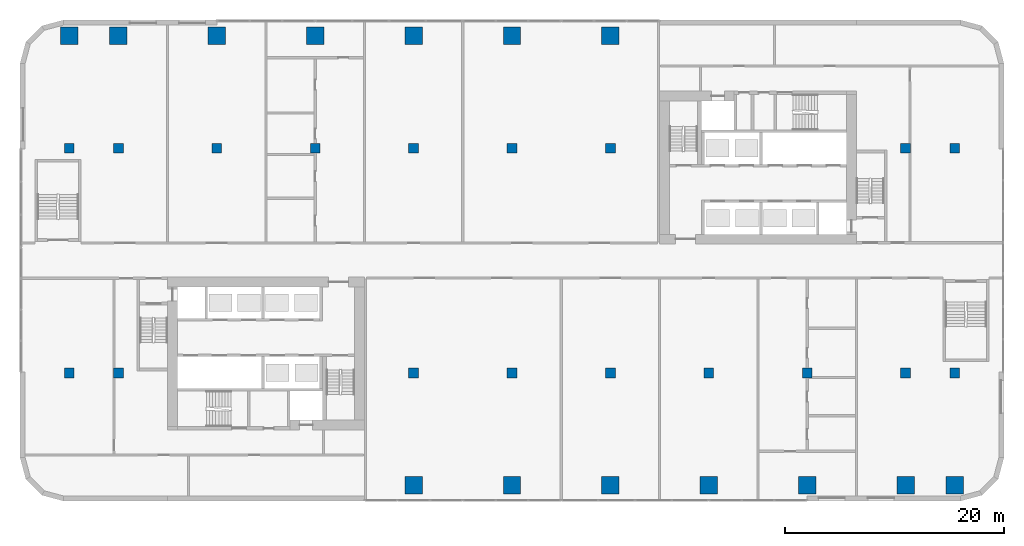
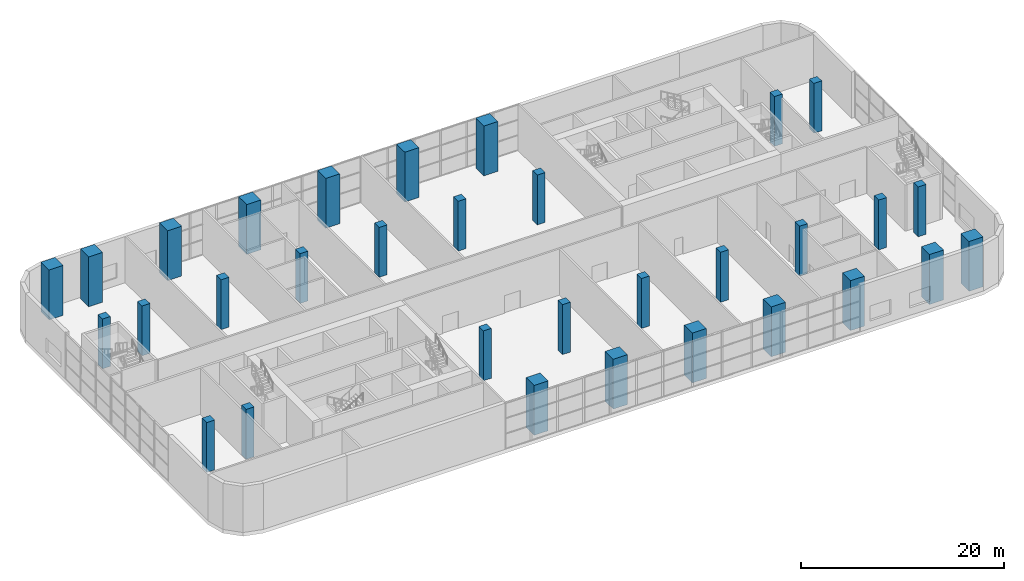
# One storey, part 1 of 27: 32 columns.
"""IFC4 building model written with IfcOpenShell, lengths in metres."""

from ifc_helpers import new_model, si_unit, direction, frame, origin, origin_2d, place, context, subcontext, project, spatial, rectangle, extrude, material, material_profile, profile_set, type_object, element, save


model = new_model("IFC4")

# Units and contexts
model_context = context("Model", 3, precision=1e-05, world=origin(), true_north=direction((0.0, 1.0)))
body_context = subcontext(model_context, "Body", "Model", "MODEL_VIEW")
ifc_project = project(units=[si_unit("LENGTHUNIT", "METRE"), si_unit("AREAUNIT", "SQUARE_METRE"), si_unit("VOLUMEUNIT", "CUBIC_METRE"), si_unit("PLANEANGLEUNIT", "RADIAN"), si_unit("MASSUNIT", "GRAM", prefix="KILO")], contexts=[model_context])

# Site, building, storey
site_placement = place(None, origin())
site = spatial("IfcSite", under=ifc_project, at=site_placement, CompositionType="ELEMENT")
building_placement = place(site_placement, origin())
building = spatial("IfcBuilding", under=site, at=building_placement, Name="Kajstack Hotel Tower", CompositionType="ELEMENT")
storey_placement = place(building_placement, frame((0.0, 0.0, 11.0)))
storey = spatial("IfcBuildingStorey", under=building, at=storey_placement, Name="L01", CompositionType="ELEMENT", Elevation=11.0)

# Columns
ifc_material_1 = material(Name="Concrete C70/85", Category="concrete")
ifc_material_profile_1 = material_profile(ifc_material_1, rectangle(XDim=1.60009765625, YDim=1.60009765625, at=origin_2d()), Name="RC 1600x1600")
ifc_profile_set_1 = profile_set([ifc_material_profile_1], Name="Concrete C70/85")
column_type_1 = type_object("IfcColumnType", Name="RC 1600x1600 C70/85", PredefinedType="COLUMN", material=ifc_profile_set_1)
for number, where, z_axis, x_axis, name in (
    (1, (-40.5, 20.550048828125, 0.0), (0.0, 0.0, 1.0), (1.0, 0.0, 0.0), "S-col-mega-L01--40p5+20p6"),
    (2, (-36.0, 20.550048828125, 0.0), (0.0, 0.0, 1.0), (1.0, 0.0, 0.0), "S-col-mega-L01--36p0+20p6"),
    (3, (-27.0, 20.550048828125, 0.0), (0.0, 0.0, 1.0), (1.0, 0.0, 0.0), "S-col-mega-L01--27p0+20p6"),
    (4, (-18.0, 20.550048828125, 0.0), (0.0, 0.0, 1.0), (1.0, 0.0, 0.0), "S-col-mega-L01--18p0+20p6"),
    (5, (-9.0, -20.550048828125, 0.0), (0.0, 0.0, 1.0), (1.0, 0.0, 0.0), "S-col-mega-L01--9p0-20p6"),
    (6, (-9.0, 20.550048828125, 0.0), (0.0, 0.0, 1.0), (1.0, 0.0, 0.0), "S-col-mega-L01--9p0+20p6"),
    (7, (0.0, -20.550048828125, 0.0), (0.0, 0.0, 1.0), (1.0, 0.0, 0.0), "S-col-mega-L01-+0p0-20p6"),
    (8, (0.0, 20.550048828125, 0.0), (0.0, 0.0, 1.0), (1.0, 0.0, 0.0), "S-col-mega-L01-+0p0+20p6"),
    (9, (9.0, -20.550048828125, 0.0), (0.0, 0.0, 1.0), (1.0, 0.0, 0.0), "S-col-mega-L01-+9p0-20p6"),
    (10, (9.0, 20.550048828125, 0.0), (0.0, 0.0, 1.0), (1.0, 0.0, 0.0), "S-col-mega-L01-+9p0+20p6"),
    (11, (18.0, -20.550048828125, 0.0), (0.0, 0.0, 1.0), (1.0, 0.0, 0.0), "S-col-mega-L01-+18p0-20p6"),
    (12, (27.0, -20.550048828125, 0.0), (0.0, 0.0, 1.0), (1.0, 0.0, 0.0), "S-col-mega-L01-+27p0-20p6"),
    (13, (36.0, -20.550048828125, 0.0), (0.0, 0.0, 1.0), (1.0, 0.0, 0.0), "S-col-mega-L01-+36p0-20p6"),
    (14, (40.5, -20.550048828125, 0.0), (0.0, 0.0, 1.0), (1.0, 0.0, 0.0), "S-col-mega-L01-+40p5-20p6"),
):
    element("IfcColumn", number, at=place(storey_placement, frame(where, z_axis=z_axis, x_axis=x_axis)), inside=storey, type_object=column_type_1, Name=name, PredefinedType="COLUMN", context=body_context, shape_type="SweptSolid", body=[
        extrude(rectangle(XDim=1.60009765625, YDim=1.60009765625, at=origin_2d()), origin(), (0.0, 0.0, 1.0), 6.0),
    ])
ifc_material_2 = material(Name="Concrete C50/60", Category="concrete")
ifc_material_profile_2 = material_profile(ifc_material_2, rectangle(XDim=0.89990234375, YDim=0.89990234375, at=origin_2d()), Name="RC 900x900")
ifc_profile_set_2 = profile_set([ifc_material_profile_2], Name="Concrete C50/60")
column_type_2 = type_object("IfcColumnType", Name="RC 900x900 C50/60", PredefinedType="COLUMN", material=ifc_profile_set_2)
for number, where, z_axis, x_axis, name in (
    (15, (-40.5, -10.27490234375, 0.0), (0.0, 0.0, 1.0), (1.0, 0.0, 0.0), "S-col-int-L01--40p5-10p3"),
    (16, (-40.5, 10.27490234375, 0.0), (0.0, 0.0, 1.0), (1.0, 0.0, 0.0), "S-col-int-L01--40p5+10p3"),
    (17, (-36.0, -10.27490234375, 0.0), (0.0, 0.0, 1.0), (1.0, 0.0, 0.0), "S-col-int-L01--36p0-10p3"),
    (18, (-36.0, 10.27490234375, 0.0), (0.0, 0.0, 1.0), (1.0, 0.0, 0.0), "S-col-int-L01--36p0+10p3"),
    (19, (-27.0, 10.27490234375, 0.0), (0.0, 0.0, 1.0), (1.0, 0.0, 0.0), "S-col-int-L01--27p0+10p3"),
    (20, (-18.0, 10.27490234375, 0.0), (0.0, 0.0, 1.0), (1.0, 0.0, 0.0), "S-col-int-L01--18p0+10p3"),
    (21, (-9.0, -10.27490234375, 0.0), (0.0, 0.0, 1.0), (1.0, 0.0, 0.0), "S-col-int-L01--9p0-10p3"),
    (22, (-9.0, 10.27490234375, 0.0), (0.0, 0.0, 1.0), (1.0, 0.0, 0.0), "S-col-int-L01--9p0+10p3"),
    (23, (0.0, -10.27490234375, 0.0), (0.0, 0.0, 1.0), (1.0, 0.0, 0.0), "S-col-int-L01-+0p0-10p3"),
    (24, (0.0, 10.27490234375, 0.0), (0.0, 0.0, 1.0), (1.0, 0.0, 0.0), "S-col-int-L01-+0p0+10p3"),
    (25, (9.0, -10.27490234375, 0.0), (0.0, 0.0, 1.0), (1.0, 0.0, 0.0), "S-col-int-L01-+9p0-10p3"),
    (26, (9.0, 10.27490234375, 0.0), (0.0, 0.0, 1.0), (1.0, 0.0, 0.0), "S-col-int-L01-+9p0+10p3"),
    (27, (18.0, -10.27490234375, 0.0), (0.0, 0.0, 1.0), (1.0, 0.0, 0.0), "S-col-int-L01-+18p0-10p3"),
    (28, (27.0, -10.27490234375, 0.0), (0.0, 0.0, 1.0), (1.0, 0.0, 0.0), "S-col-int-L01-+27p0-10p3"),
    (29, (36.0, -10.27490234375, 0.0), (0.0, 0.0, 1.0), (1.0, 0.0, 0.0), "S-col-int-L01-+36p0-10p3"),
    (30, (36.0, 10.27490234375, 0.0), (0.0, 0.0, 1.0), (1.0, 0.0, 0.0), "S-col-int-L01-+36p0+10p3"),
    (31, (40.5, -10.27490234375, 0.0), (0.0, 0.0, 1.0), (1.0, 0.0, 0.0), "S-col-int-L01-+40p5-10p3"),
    (32, (40.5, 10.27490234375, 0.0), (0.0, 0.0, 1.0), (1.0, 0.0, 0.0), "S-col-int-L01-+40p5+10p3"),
):
    element("IfcColumn", number, at=place(storey_placement, frame(where, z_axis=z_axis, x_axis=x_axis)), inside=storey, type_object=column_type_2, Name=name, PredefinedType="COLUMN", context=body_context, shape_type="SweptSolid", body=[
        extrude(rectangle(XDim=0.89990234375, YDim=0.89990234375, at=origin_2d()), origin(), (0.0, 0.0, 1.0), 6.0),
    ])

save(model, "model.ifc")
